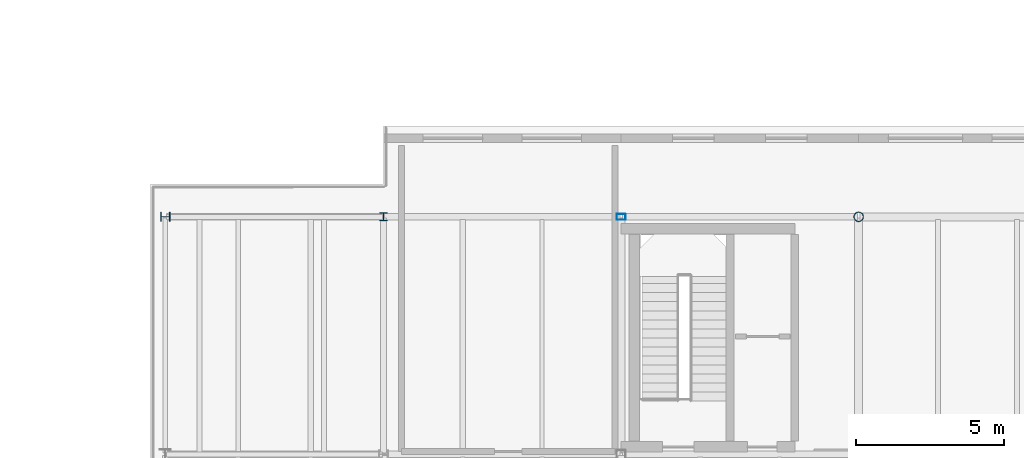
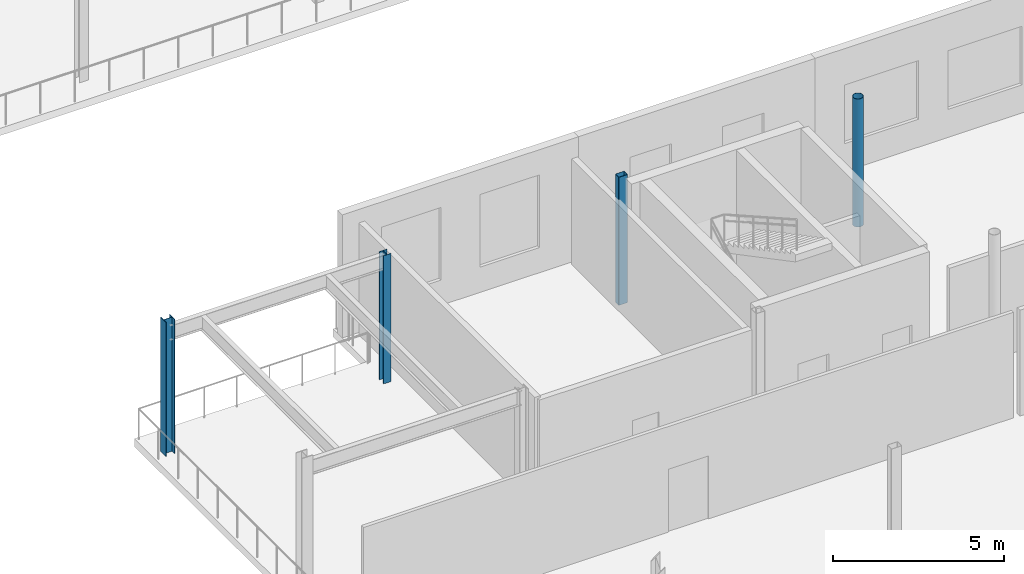
# One storey, part 10 of 70: 4 columns.
"""IFC4 building model written with IfcOpenShell, lengths in metres."""

from ifc_helpers import new_model, si_unit, direction, frame, origin, origin_2d, place, context, subcontext, project, spatial, hollow_rectangle, hollow_circle, i_section, extrude, material, material_profile, profile_set, type_object, element, save


model = new_model("IFC4")

# Units and contexts
model_context = context("Model", 3, precision=1e-05, world=origin(), true_north=direction((0.0, 1.0)))
body_context = subcontext(model_context, "Body", "Model", "MODEL_VIEW")
ifc_project = project(units=[si_unit("LENGTHUNIT", "METRE"), si_unit("AREAUNIT", "SQUARE_METRE"), si_unit("VOLUMEUNIT", "CUBIC_METRE"), si_unit("PLANEANGLEUNIT", "RADIAN"), si_unit("MASSUNIT", "GRAM", prefix="KILO")], contexts=[model_context])

# Site, building, storey
site_placement = place(None, origin())
site = spatial("IfcSite", under=ifc_project, at=site_placement, CompositionType="ELEMENT")
building_placement = place(site_placement, origin())
building = spatial("IfcBuilding", under=site, at=building_placement, Name="Brisemont Oceanarium", CompositionType="ELEMENT")
storey_placement = place(building_placement, frame((0.0, 0.0, 10.199951171875)))
storey = spatial("IfcBuildingStorey", under=building, at=storey_placement, Name="L02", CompositionType="ELEMENT", Elevation=10.199951171875)

# Columns
ifc_material_1 = material(Name="Structural Steel ASTM A500 Gr.C", Category="steel")
ifc_material_profile_1 = material_profile(ifc_material_1, hollow_circle(Radius=0.162109375, WallThickness=0.01171875, at=origin_2d()), Name="HSS12.750X0.500")
ifc_profile_set_1 = profile_set([ifc_material_profile_1], Name="Structural Steel ASTM A500 Gr.C")
column_type_1 = type_object("IfcColumnType", Name="COL-CHS12", PredefinedType="COLUMN", material=ifc_profile_set_1)
column_1_placement = place(storey_placement, frame((136.0, 24.0, 0.0), z_axis=(0.0, 0.0, 1.0), x_axis=(1.0, 0.0, 0.0)))
element("IfcColumn", 1, at=column_1_placement, inside=storey, type_object=column_type_1, Name="V3 L02 column (3,3)", PredefinedType="COLUMN", context=body_context, shape_type="SweptSolid", body=[
    extrude(hollow_circle(Radius=0.162109375, WallThickness=0.01171875, at=origin_2d()), origin(), (0.0, 0.0, 1.0), 4.580078125),
])
ifc_material_2 = material(Name="Structural Steel ASTM A500 Gr.C", Category="steel")
ifc_material_profile_2 = material_profile(ifc_material_2, hollow_rectangle(XDim=0.202880859375, YDim=0.304931640625, WallThickness=0.0087890625, InnerFilletRadius=0.009033203125, OuterFilletRadius=0.01806640625, at=origin_2d()), Name="HSS12X8X3/8")
ifc_profile_set_2 = profile_set([ifc_material_profile_2], Name="Structural Steel ASTM A500 Gr.C")
column_type_2 = type_object("IfcColumnType", Name="COL-HSS12X8", PredefinedType="COLUMN", material=ifc_profile_set_2)
column_2_placement = place(storey_placement, frame((128.0, 24.0, 0.0), z_axis=(0.0, 0.0, 1.0), x_axis=(0.0, 1.0, 0.0)))
element("IfcColumn", 2, at=column_2_placement, inside=storey, type_object=column_type_2, Name="V3 L02 column (2,3)", PredefinedType="COLUMN", context=body_context, shape_type="SweptSolid", body=[
    extrude(hollow_rectangle(XDim=0.202880859375, YDim=0.304931640625, WallThickness=0.0087890625, InnerFilletRadius=0.009033203125, OuterFilletRadius=0.01806640625, at=origin_2d()), origin(), (0.0, 0.0, 1.0), 4.580078125),
])
ifc_material_3 = material(Name="Structural Steel ASTM A992 Gr.50", Category="steel")
ifc_material_profile_3 = material_profile(ifc_material_3, i_section(OverallWidth=0.256103515625, OverallDepth=0.260009765625, WebThickness=0.0107421875, FlangeThickness=0.017333984375, FilletRadius=0.010986328125, at=origin_2d()), Name="W10X60")
ifc_profile_set_3 = profile_set([ifc_material_profile_3], Name="Structural Steel ASTM A992 Gr.50")
column_type_3 = type_object("IfcColumnType", Name="COL-W10X60", PredefinedType="COLUMN", material=ifc_profile_set_3)
column_3_placement = place(storey_placement, frame((120.0, 24.0, 0.0), z_axis=(0.0, 0.0, 1.0), x_axis=(1.0, 0.0, 0.0)))
element("IfcColumn", 3, at=column_3_placement, inside=storey, type_object=column_type_3, Name="V3 L02 column (1,3)", PredefinedType="COLUMN", context=body_context, shape_type="SweptSolid", body=[
    extrude(i_section(OverallWidth=0.256103515625, OverallDepth=0.260009765625, WebThickness=0.0107421875, FlangeThickness=0.017333984375, FilletRadius=0.010986328125, at=origin_2d()), origin(), (0.0, 0.0, 1.0), 4.580078125),
])
ifc_material_4 = material(Name="Structural Steel ASTM A992 Gr.50", Category="steel")
ifc_material_profile_4 = material_profile(ifc_material_4, i_section(OverallWidth=0.30810546875, OverallDepth=0.318115234375, WebThickness=0.01318359375, FlangeThickness=0.0205078125, FilletRadius=0.012939453125, at=origin_2d()), Name="W12X87")
ifc_profile_set_4 = profile_set([ifc_material_profile_4], Name="Structural Steel ASTM A992 Gr.50")
column_type_4 = type_object("IfcColumnType", Name="COL-W12X87", PredefinedType="COLUMN", material=ifc_profile_set_4)
column_4_placement = place(storey_placement, frame((112.64990234375, 24.0, 0.0), z_axis=(0.0, 0.0, 1.0), x_axis=(0.0, 1.0, 0.0)))
element("IfcColumn", 4, at=column_4_placement, inside=storey, type_object=column_type_4, Name="V3 L02 column (0,3)", PredefinedType="COLUMN", context=body_context, shape_type="SweptSolid", body=[
    extrude(i_section(OverallWidth=0.30810546875, OverallDepth=0.318115234375, WebThickness=0.01318359375, FlangeThickness=0.0205078125, FilletRadius=0.012939453125, at=origin_2d()), origin(), (0.0, 0.0, 1.0), 4.800048828125),
])

save(model, "model.ifc")
